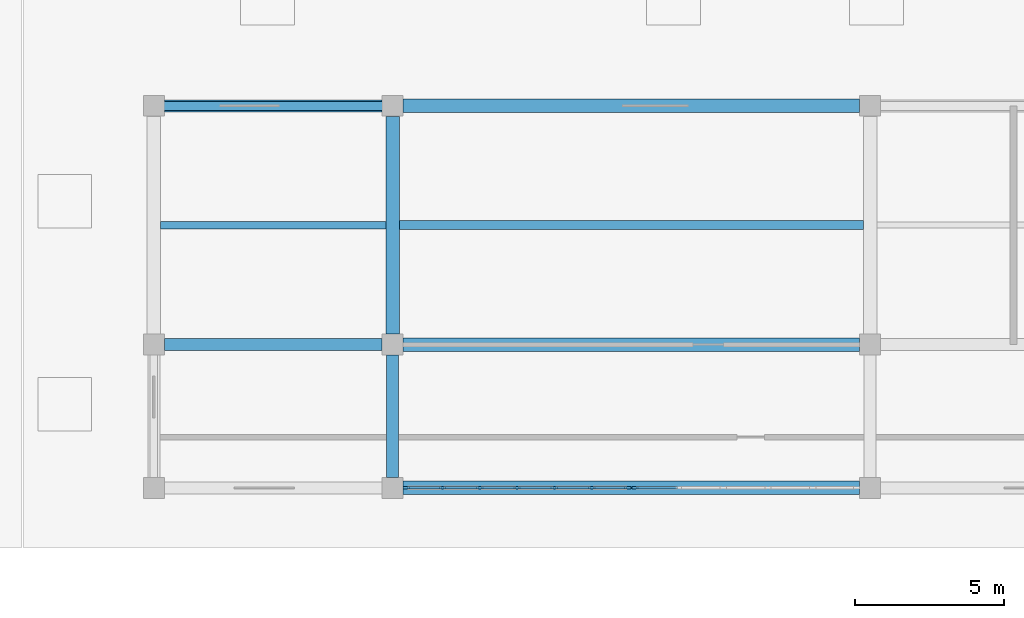
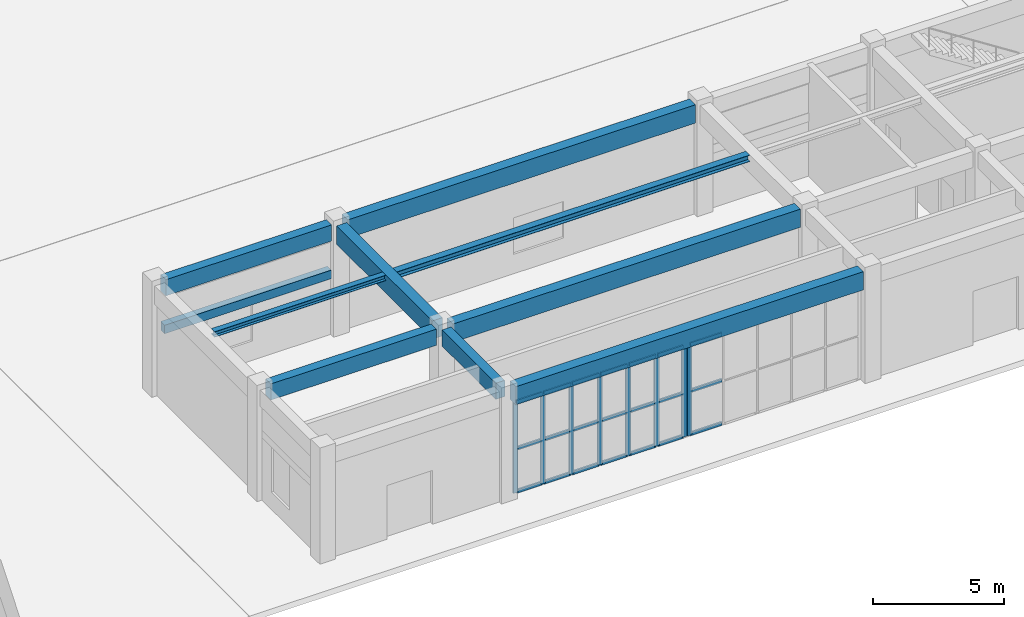
# One storey, part 10 of 46: 29 members, 10 beams, 2 elements without a shape of their own.
"""IFC4 building model written with IfcOpenShell, lengths in metres."""

from ifc_helpers import new_model, si_unit, direction, frame, origin, origin_2d, place, context, subcontext, project, spatial, rectangle, i_section, extrude, material, layer, layer_set, material_profile, profile_set, type_object, element, aggregate, save


model = new_model("IFC4")

# Units and contexts
model_context = context("Model", 3, precision=1e-05, world=origin(), true_north=direction((0.0, 1.0)))
body_context = subcontext(model_context, "Body", "Model", "MODEL_VIEW")
ifc_project = project(units=[si_unit("LENGTHUNIT", "METRE"), si_unit("AREAUNIT", "SQUARE_METRE"), si_unit("VOLUMEUNIT", "CUBIC_METRE"), si_unit("PLANEANGLEUNIT", "RADIAN"), si_unit("MASSUNIT", "GRAM", prefix="KILO")], contexts=[model_context])

# Site, building, storey
site_placement = place(None, origin())
site = spatial("IfcSite", under=ifc_project, at=site_placement, CompositionType="ELEMENT")
building_placement = place(site_placement, origin())
building = spatial("IfcBuilding", under=site, at=building_placement, Name="Cinchona Park Media Centre", CompositionType="ELEMENT")
storey_placement = place(building_placement, origin())
storey = spatial("IfcBuildingStorey", under=building, at=storey_placement, Name="L00", CompositionType="ELEMENT", Elevation=0.0)

# Beams
ifc_material_1 = material(Name="Concrete C35/45", Category="concrete")
ifc_material_profile_1 = material_profile(ifc_material_1, rectangle(XDim=0.39990234375, YDim=0.75, at=origin_2d()), Name="RB 400X750")
ifc_profile_set_1 = profile_set([ifc_material_profile_1], Name="Concrete C35/45")
beam_type_1 = type_object("IfcBeamType", Name="BEAM-B01-RB400X750", PredefinedType="BEAM", material=ifc_profile_set_1)
for number, where, z_axis, x_axis, name in (
    (1, (55.14990234375, 79.60009765625, 4.764892578125), (1.0, 0.0, 0.0), (0.0, 1.0, 0.0), "Beam B01 L00"),
    (2, (55.14990234375, 87.60009765625, 4.764892578125), (1.0, 0.0, 0.0), (0.0, 1.0, 0.0), "Beam B01 L00"),
):
    element("IfcBeam", number, at=place(storey_placement, frame(where, z_axis=z_axis, x_axis=x_axis)), inside=storey, type_object=beam_type_1, Name=name, PredefinedType="BEAM", context=body_context, shape_type="SweptSolid", body=[
        extrude(rectangle(XDim=0.39990234375, YDim=0.75, at=origin_2d()), origin(), (0.0, 0.0, 1.0), 7.300048828125),
    ])
beam_1_placement = place(storey_placement, frame((62.800048828125, 75.14990234375, 4.764892578125), z_axis=(0.0, 1.0, 0.0), x_axis=(-1.0, 0.0, 0.0)))
element("IfcBeam", 3, at=beam_1_placement, inside=storey, type_object=beam_type_1, Name="Girder B01 L00", PredefinedType="BEAM", context=body_context, shape_type="SweptSolid", body=[
    extrude(rectangle(XDim=0.39990234375, YDim=0.75, at=origin_2d()), origin(), (0.0, 0.0, 1.0), 4.10009765625),
])
ifc_material_2 = material(Name="Concrete C35/45", Category="concrete")
ifc_material_profile_2 = material_profile(ifc_material_2, rectangle(XDim=0.449951171875, YDim=0.85009765625, at=origin_2d()), Name="RB 450X850")
ifc_profile_set_2 = profile_set([ifc_material_profile_2], Name="Concrete C35/45")
beam_type_2 = type_object("IfcBeamType", Name="BEAM-B02-RB450X850", PredefinedType="BEAM", material=ifc_profile_set_2)
for number, where, z_axis, x_axis, name in (
    (4, (63.14990234375, 74.800048828125, 4.715087890625), (1.0, 0.0, 0.0), (0.0, 1.0, 0.0), "Beam B02 L00"),
    (5, (63.14990234375, 79.60009765625, 4.715087890625), (1.0, 0.0, 0.0), (0.0, 1.0, 0.0), "Beam B02 L00"),
    (6, (63.14990234375, 87.60009765625, 4.715087890625), (1.0, 0.0, 0.0), (0.0, 1.0, 0.0), "Beam B02 L00"),
):
    element("IfcBeam", number, at=place(storey_placement, frame(where, z_axis=z_axis, x_axis=x_axis)), inside=storey, type_object=beam_type_2, Name=name, PredefinedType="BEAM", context=body_context, shape_type="SweptSolid", body=[
        extrude(rectangle(XDim=0.449951171875, YDim=0.85009765625, at=origin_2d()), origin(), (0.0, 0.0, 1.0), 15.300048828125),
    ])
beam_2_placement = place(storey_placement, frame((62.800048828125, 79.949951171875, 4.715087890625), z_axis=(0.0, 1.0, 0.0), x_axis=(-1.0, 0.0, 0.0)))
element("IfcBeam", 7, at=beam_2_placement, inside=storey, type_object=beam_type_2, Name="Girder B02 L00", PredefinedType="BEAM", context=body_context, shape_type="SweptSolid", body=[
    extrude(rectangle(XDim=0.449951171875, YDim=0.85009765625, at=origin_2d()), origin(), (0.0, 0.0, 1.0), 7.300048828125),
])
ifc_material_3 = material(Name="Steel S355", Category="steel")
ifc_material_profile_3 = material_profile(ifc_material_3, i_section(OverallWidth=0.304931640625, OverallDepth=0.30810546875, WebThickness=0.010009765625, FlangeThickness=0.015380859375, at=origin_2d()), Name="W310X97")
ifc_profile_set_3 = profile_set([ifc_material_profile_3], Name="Steel S355")
beam_type_3 = type_object("IfcBeamType", Name="BEAM-J02-W310X97", PredefinedType="JOIST", material=ifc_profile_set_3)
beam_3_placement = place(storey_placement, frame((63.02490234375, 83.60009765625, 4.986083984375), z_axis=(1.0, 0.0, 0.0), x_axis=(0.0, 1.0, 0.0)))
element("IfcBeam", 8, at=beam_3_placement, inside=storey, type_object=beam_type_3, Name="Floor Joist J02 L00", PredefinedType="JOIST", context=body_context, shape_type="SweptSolid", body=[
    extrude(i_section(OverallWidth=0.304931640625, OverallDepth=0.30810546875, WebThickness=0.010009765625, FlangeThickness=0.015380859375, at=origin_2d()), origin(), (0.0, 0.0, 1.0), 15.550048828125),
])
ifc_material_4 = material(Name="Steel S355", Category="steel")
ifc_material_profile_4 = material_profile(ifc_material_4, i_section(OverallWidth=0.25390625, OverallDepth=0.2529296875, WebThickness=0.008544921875, FlangeThickness=0.01416015625, at=origin_2d()), Name="W250X73")
ifc_profile_set_4 = profile_set([ifc_material_profile_4], Name="Steel S355")
beam_type_4 = type_object("IfcBeamType", Name="BEAM-J04-W250X73", PredefinedType="JOIST", material=ifc_profile_set_4)
beam_4_placement = place(storey_placement, frame((55.02490234375, 83.60009765625, 5.013427734375), z_axis=(1.0, 0.0, 0.0), x_axis=(0.0, 1.0, 0.0)))
element("IfcBeam", 9, at=beam_4_placement, inside=storey, type_object=beam_type_4, Name="Floor Joist J04 L00", PredefinedType="JOIST", context=body_context, shape_type="SweptSolid", body=[
    extrude(i_section(OverallWidth=0.25390625, OverallDepth=0.2529296875, WebThickness=0.008544921875, FlangeThickness=0.01416015625, at=origin_2d()), origin(), (0.0, 0.0, 1.0), 7.550048828125),
])
ifc_material_5 = material(Name="Concrete C35/45", Category="concrete")
ifc_material_profile_5 = material_profile(ifc_material_5, rectangle(XDim=0.300048828125, YDim=0.39990234375, at=origin_2d()), Name="RL 300X400")
ifc_profile_set_5 = profile_set([ifc_material_profile_5], Name="Concrete C35/45")
beam_type_5 = type_object("IfcBeamType", Name="BEAM-LN02-RL300X400", PredefinedType="LINTEL", material=ifc_profile_set_5)
beam_5_placement = place(storey_placement, frame((55.1298828125, 87.60009765625, 2.800048828125), z_axis=(1.0, 0.0, 0.0), x_axis=(0.0, 1.0, 0.0)))
element("IfcBeam", 10, at=beam_5_placement, inside=storey, type_object=beam_type_5, Name="Window Lintel LN02", PredefinedType="LINTEL", context=body_context, shape_type="SweptSolid", body=[
    extrude(rectangle(XDim=0.300048828125, YDim=0.39990234375, at=origin_2d()), origin(), (0.0, 0.0, 1.0), 7.340087890625),
])

# Curtain wall, member
ifc_material_6 = material(Name="Aluminium Curtain Wall Framing", Category="aluminium")
ifc_layer_1 = layer(ifc_material_6, 0.300048828125)
ifc_layer_set_1 = layer_set([ifc_layer_1], Name="Aluminium Curtain Wall Framing")
curtain_wall_type_1 = type_object("IfcCurtainWallType", Name="CW-CW09", PredefinedType="USERDEFINED", material=ifc_layer_set_1)
curtain_wall_1_placement = place(storey_placement, origin())
curtain_wall_1 = element("IfcCurtainWall", 11, at=curtain_wall_1_placement, inside=storey, type_object=curtain_wall_type_1, Name="Curtain Wall CW09 L00", ObjectType="UNITISED CURTAIN WALL", PredefinedType="USERDEFINED")
ifc_material_7 = material(Name="Anodised Aluminium Alloy 6063-T6", Category="aluminium")
ifc_material_profile_6 = material_profile(ifc_material_7, rectangle(XDim=0.074951171875, YDim=0.2099609375, at=origin_2d()), Name="MUL-75X210")
ifc_profile_set_6 = profile_set([ifc_material_profile_6], Name="Anodised Aluminium Alloy 6063-T6")
member_type_1 = type_object("IfcMemberType", Name="MULLION-MUL03", PredefinedType="MULLION", material=ifc_profile_set_6)
member_1_placement = place(storey_placement, frame((70.91748046875, 74.800048828125, 0.050048828125), z_axis=(0.0, 0.0, 1.0), x_axis=(0.0, -1.0, 0.0)))
member_1 = element("IfcMember", 12, at=member_1_placement, type_object=member_type_1, Name="CW09 mullion 6", PredefinedType="MULLION", context=body_context, shape_type="SweptSolid", body=[
    extrude(rectangle(XDim=0.074951171875, YDim=0.2099609375, at=origin_2d()), origin(), (0.0, 0.0, 1.0), 4.239990234375),
])

# Curtain wall, members
ifc_material_8 = material(Name="Aluminium Curtain Wall Framing", Category="aluminium")
ifc_layer_2 = layer(ifc_material_8, 0.179931640625)
ifc_layer_set_2 = layer_set([ifc_layer_2], Name="Aluminium Curtain Wall Framing")
curtain_wall_type_2 = type_object("IfcCurtainWallType", Name="CW-CW01", PredefinedType="USERDEFINED", material=ifc_layer_set_2)
curtain_wall_2_placement = place(storey_placement, origin())
curtain_wall_2 = element("IfcCurtainWall", 13, at=curtain_wall_2_placement, inside=storey, type_object=curtain_wall_type_2, Name="Curtain Wall CW01 L00", ObjectType="UNITISED CURTAIN WALL", PredefinedType="USERDEFINED")
member_2_placement = place(storey_placement, frame((70.6826171875, 74.800048828125, 0.050048828125), z_axis=(0.0, 0.0, 1.0), x_axis=(0.0, -1.0, 0.0)))
member_2 = element("IfcMember", 14, at=member_2_placement, type_object=member_type_1, Name="CW01 mullion 1", PredefinedType="MULLION", context=body_context, shape_type="SweptSolid", body=[
    extrude(rectangle(XDim=0.074951171875, YDim=0.2099609375, at=origin_2d()), origin(), (0.0, 0.0, 1.0), 4.239990234375),
])
member_3_placement = place(storey_placement, frame((69.469970703125, 74.800048828125, 0.050048828125), z_axis=(0.0, 0.0, 1.0), x_axis=(0.0, -1.0, 0.0)))
member_3 = element("IfcMember", 15, at=member_3_placement, type_object=member_type_1, Name="CW01 mullion 2", PredefinedType="MULLION", context=body_context, shape_type="SweptSolid", body=[
    extrude(rectangle(XDim=0.074951171875, YDim=0.2099609375, at=origin_2d()), origin(), (0.0, 0.0, 1.0), 4.239990234375),
])
member_4_placement = place(storey_placement, frame((68.219970703125, 74.800048828125, 0.050048828125), z_axis=(0.0, 0.0, 1.0), x_axis=(0.0, -1.0, 0.0)))
member_4 = element("IfcMember", 16, at=member_4_placement, type_object=member_type_1, Name="CW01 mullion 3", PredefinedType="MULLION", context=body_context, shape_type="SweptSolid", body=[
    extrude(rectangle(XDim=0.074951171875, YDim=0.2099609375, at=origin_2d()), origin(), (0.0, 0.0, 1.0), 4.239990234375),
])
member_5_placement = place(storey_placement, frame((66.969970703125, 74.800048828125, 0.050048828125), z_axis=(0.0, 0.0, 1.0), x_axis=(0.0, -1.0, 0.0)))
member_5 = element("IfcMember", 17, at=member_5_placement, type_object=member_type_1, Name="CW01 mullion 4", PredefinedType="MULLION", context=body_context, shape_type="SweptSolid", body=[
    extrude(rectangle(XDim=0.074951171875, YDim=0.2099609375, at=origin_2d()), origin(), (0.0, 0.0, 1.0), 4.239990234375),
])
member_6_placement = place(storey_placement, frame((65.719970703125, 74.800048828125, 0.050048828125), z_axis=(0.0, 0.0, 1.0), x_axis=(0.0, -1.0, 0.0)))
member_6 = element("IfcMember", 18, at=member_6_placement, type_object=member_type_1, Name="CW01 mullion 5", PredefinedType="MULLION", context=body_context, shape_type="SweptSolid", body=[
    extrude(rectangle(XDim=0.074951171875, YDim=0.2099609375, at=origin_2d()), origin(), (0.0, 0.0, 1.0), 4.239990234375),
])
member_7_placement = place(storey_placement, frame((64.469970703125, 74.800048828125, 0.050048828125), z_axis=(0.0, 0.0, 1.0), x_axis=(0.0, -1.0, 0.0)))
member_7 = element("IfcMember", 19, at=member_7_placement, type_object=member_type_1, Name="CW01 mullion 6", PredefinedType="MULLION", context=body_context, shape_type="SweptSolid", body=[
    extrude(rectangle(XDim=0.074951171875, YDim=0.2099609375, at=origin_2d()), origin(), (0.0, 0.0, 1.0), 4.239990234375),
])
member_8_placement = place(storey_placement, frame((63.257568359375, 74.800048828125, 0.050048828125), z_axis=(0.0, 0.0, 1.0), x_axis=(0.0, -1.0, 0.0)))
member_8 = element("IfcMember", 20, at=member_8_placement, type_object=member_type_1, Name="CW01 mullion 7", PredefinedType="MULLION", context=body_context, shape_type="SweptSolid", body=[
    extrude(rectangle(XDim=0.074951171875, YDim=0.2099609375, at=origin_2d()), origin(), (0.0, 0.0, 1.0), 4.239990234375),
])

# Member
ifc_material_9 = material(Name="Anodised Aluminium Alloy 6063-T6", Category="aluminium")
ifc_material_profile_7 = material_profile(ifc_material_9, rectangle(XDim=0.074951171875, YDim=0.159912109375, at=origin_2d()), Name="TRN-75X160")
ifc_profile_set_7 = profile_set([ifc_material_profile_7], Name="Anodised Aluminium Alloy 6063-T6")
member_type_2 = type_object("IfcMemberType", Name="TRANSOM-TRN03", PredefinedType="USERDEFINED", material=ifc_profile_set_7)
member_9_placement = place(storey_placement, frame((72.342529296875, 74.800048828125, 0.08740234375), z_axis=(-1.0, 0.0, 0.0), x_axis=(0.0, -1.0, 0.0)))
member_9 = element("IfcMember", 21, at=member_9_placement, type_object=member_type_2, Name="CW09 transom 5.1", ObjectType="TRANSOM", PredefinedType="USERDEFINED", context=body_context, shape_type="SweptSolid", body=[
    extrude(rectangle(XDim=0.074951171875, YDim=0.159912109375, at=origin_2d()), origin(), (0.0, 0.0, 1.0), 1.387451171875),
])

member_10_placement = place(storey_placement, frame((72.342529296875, 74.800048828125, 2.0849609375), z_axis=(-1.0, 0.0, 0.0), x_axis=(0.0, -1.0, 0.0)))
member_10 = element("IfcMember", 22, at=member_10_placement, type_object=member_type_2, Name="CW09 transom 5.2", ObjectType="TRANSOM", PredefinedType="USERDEFINED", context=body_context, shape_type="SweptSolid", body=[
    extrude(rectangle(XDim=0.074951171875, YDim=0.159912109375, at=origin_2d()), origin(), (0.0, 0.0, 1.0), 1.387451171875),
])

member_11_placement = place(storey_placement, frame((72.342529296875, 74.800048828125, 4.25244140625), z_axis=(-1.0, 0.0, 0.0), x_axis=(0.0, -1.0, 0.0)))
member_11 = element("IfcMember", 23, at=member_11_placement, type_object=member_type_2, Name="CW09 transom 5.3", ObjectType="TRANSOM", PredefinedType="USERDEFINED", context=body_context, shape_type="SweptSolid", body=[
    extrude(rectangle(XDim=0.074951171875, YDim=0.159912109375, at=origin_2d()), origin(), (0.0, 0.0, 1.0), 1.387451171875),
])

aggregate(curtain_wall_1, [member_1, member_9, member_10, member_11])

member_12_placement = place(storey_placement, frame((70.64501953125, 74.800048828125, 0.08740234375), z_axis=(-1.0, 0.0, 0.0), x_axis=(0.0, -1.0, 0.0)))
member_12 = element("IfcMember", 24, at=member_12_placement, type_object=member_type_2, Name="CW01 transom 1.1", ObjectType="TRANSOM", PredefinedType="USERDEFINED", context=body_context, shape_type="SweptSolid", body=[
    extrude(rectangle(XDim=0.074951171875, YDim=0.159912109375, at=origin_2d()), origin(), (0.0, 0.0, 1.0), 1.137451171875),
])

member_13_placement = place(storey_placement, frame((70.64501953125, 74.800048828125, 2.0849609375), z_axis=(-1.0, 0.0, 0.0), x_axis=(0.0, -1.0, 0.0)))
member_13 = element("IfcMember", 25, at=member_13_placement, type_object=member_type_2, Name="CW01 transom 1.2", ObjectType="TRANSOM", PredefinedType="USERDEFINED", context=body_context, shape_type="SweptSolid", body=[
    extrude(rectangle(XDim=0.074951171875, YDim=0.159912109375, at=origin_2d()), origin(), (0.0, 0.0, 1.0), 1.137451171875),
])

member_14_placement = place(storey_placement, frame((70.64501953125, 74.800048828125, 4.25244140625), z_axis=(-1.0, 0.0, 0.0), x_axis=(0.0, -1.0, 0.0)))
member_14 = element("IfcMember", 26, at=member_14_placement, type_object=member_type_2, Name="CW01 transom 1.3", ObjectType="TRANSOM", PredefinedType="USERDEFINED", context=body_context, shape_type="SweptSolid", body=[
    extrude(rectangle(XDim=0.074951171875, YDim=0.159912109375, at=origin_2d()), origin(), (0.0, 0.0, 1.0), 1.137451171875),
])

member_15_placement = place(storey_placement, frame((69.4326171875, 74.800048828125, 0.08740234375), z_axis=(-1.0, 0.0, 0.0), x_axis=(0.0, -1.0, 0.0)))
member_15 = element("IfcMember", 27, at=member_15_placement, type_object=member_type_2, Name="CW01 transom 2.1", ObjectType="TRANSOM", PredefinedType="USERDEFINED", context=body_context, shape_type="SweptSolid", body=[
    extrude(rectangle(XDim=0.074951171875, YDim=0.159912109375, at=origin_2d()), origin(), (0.0, 0.0, 1.0), 1.175048828125),
])

member_16_placement = place(storey_placement, frame((69.4326171875, 74.800048828125, 2.0849609375), z_axis=(-1.0, 0.0, 0.0), x_axis=(0.0, -1.0, 0.0)))
member_16 = element("IfcMember", 28, at=member_16_placement, type_object=member_type_2, Name="CW01 transom 2.2", ObjectType="TRANSOM", PredefinedType="USERDEFINED", context=body_context, shape_type="SweptSolid", body=[
    extrude(rectangle(XDim=0.074951171875, YDim=0.159912109375, at=origin_2d()), origin(), (0.0, 0.0, 1.0), 1.175048828125),
])

member_17_placement = place(storey_placement, frame((69.4326171875, 74.800048828125, 4.25244140625), z_axis=(-1.0, 0.0, 0.0), x_axis=(0.0, -1.0, 0.0)))
member_17 = element("IfcMember", 29, at=member_17_placement, type_object=member_type_2, Name="CW01 transom 2.3", ObjectType="TRANSOM", PredefinedType="USERDEFINED", context=body_context, shape_type="SweptSolid", body=[
    extrude(rectangle(XDim=0.074951171875, YDim=0.159912109375, at=origin_2d()), origin(), (0.0, 0.0, 1.0), 1.175048828125),
])

member_18_placement = place(storey_placement, frame((68.1826171875, 74.800048828125, 0.08740234375), z_axis=(-1.0, 0.0, 0.0), x_axis=(0.0, -1.0, 0.0)))
member_18 = element("IfcMember", 30, at=member_18_placement, type_object=member_type_2, Name="CW01 transom 3.1", ObjectType="TRANSOM", PredefinedType="USERDEFINED", context=body_context, shape_type="SweptSolid", body=[
    extrude(rectangle(XDim=0.074951171875, YDim=0.159912109375, at=origin_2d()), origin(), (0.0, 0.0, 1.0), 1.175048828125),
])

member_19_placement = place(storey_placement, frame((68.1826171875, 74.800048828125, 2.0849609375), z_axis=(-1.0, 0.0, 0.0), x_axis=(0.0, -1.0, 0.0)))
member_19 = element("IfcMember", 31, at=member_19_placement, type_object=member_type_2, Name="CW01 transom 3.2", ObjectType="TRANSOM", PredefinedType="USERDEFINED", context=body_context, shape_type="SweptSolid", body=[
    extrude(rectangle(XDim=0.074951171875, YDim=0.159912109375, at=origin_2d()), origin(), (0.0, 0.0, 1.0), 1.175048828125),
])

member_20_placement = place(storey_placement, frame((68.1826171875, 74.800048828125, 4.25244140625), z_axis=(-1.0, 0.0, 0.0), x_axis=(0.0, -1.0, 0.0)))
member_20 = element("IfcMember", 32, at=member_20_placement, type_object=member_type_2, Name="CW01 transom 3.3", ObjectType="TRANSOM", PredefinedType="USERDEFINED", context=body_context, shape_type="SweptSolid", body=[
    extrude(rectangle(XDim=0.074951171875, YDim=0.159912109375, at=origin_2d()), origin(), (0.0, 0.0, 1.0), 1.175048828125),
])

member_21_placement = place(storey_placement, frame((66.9326171875, 74.800048828125, 0.08740234375), z_axis=(-1.0, 0.0, 0.0), x_axis=(0.0, -1.0, 0.0)))
member_21 = element("IfcMember", 33, at=member_21_placement, type_object=member_type_2, Name="CW01 transom 4.1", ObjectType="TRANSOM", PredefinedType="USERDEFINED", context=body_context, shape_type="SweptSolid", body=[
    extrude(rectangle(XDim=0.074951171875, YDim=0.159912109375, at=origin_2d()), origin(), (0.0, 0.0, 1.0), 1.175048828125),
])

member_22_placement = place(storey_placement, frame((66.9326171875, 74.800048828125, 2.0849609375), z_axis=(-1.0, 0.0, 0.0), x_axis=(0.0, -1.0, 0.0)))
member_22 = element("IfcMember", 34, at=member_22_placement, type_object=member_type_2, Name="CW01 transom 4.2", ObjectType="TRANSOM", PredefinedType="USERDEFINED", context=body_context, shape_type="SweptSolid", body=[
    extrude(rectangle(XDim=0.074951171875, YDim=0.159912109375, at=origin_2d()), origin(), (0.0, 0.0, 1.0), 1.175048828125),
])

member_23_placement = place(storey_placement, frame((66.9326171875, 74.800048828125, 4.25244140625), z_axis=(-1.0, 0.0, 0.0), x_axis=(0.0, -1.0, 0.0)))
member_23 = element("IfcMember", 35, at=member_23_placement, type_object=member_type_2, Name="CW01 transom 4.3", ObjectType="TRANSOM", PredefinedType="USERDEFINED", context=body_context, shape_type="SweptSolid", body=[
    extrude(rectangle(XDim=0.074951171875, YDim=0.159912109375, at=origin_2d()), origin(), (0.0, 0.0, 1.0), 1.175048828125),
])

member_24_placement = place(storey_placement, frame((65.6826171875, 74.800048828125, 0.08740234375), z_axis=(-1.0, 0.0, 0.0), x_axis=(0.0, -1.0, 0.0)))
member_24 = element("IfcMember", 36, at=member_24_placement, type_object=member_type_2, Name="CW01 transom 5.1", ObjectType="TRANSOM", PredefinedType="USERDEFINED", context=body_context, shape_type="SweptSolid", body=[
    extrude(rectangle(XDim=0.074951171875, YDim=0.159912109375, at=origin_2d()), origin(), (0.0, 0.0, 1.0), 1.175048828125),
])

member_25_placement = place(storey_placement, frame((65.6826171875, 74.800048828125, 2.0849609375), z_axis=(-1.0, 0.0, 0.0), x_axis=(0.0, -1.0, 0.0)))
member_25 = element("IfcMember", 37, at=member_25_placement, type_object=member_type_2, Name="CW01 transom 5.2", ObjectType="TRANSOM", PredefinedType="USERDEFINED", context=body_context, shape_type="SweptSolid", body=[
    extrude(rectangle(XDim=0.074951171875, YDim=0.159912109375, at=origin_2d()), origin(), (0.0, 0.0, 1.0), 1.175048828125),
])

member_26_placement = place(storey_placement, frame((65.6826171875, 74.800048828125, 4.25244140625), z_axis=(-1.0, 0.0, 0.0), x_axis=(0.0, -1.0, 0.0)))
member_26 = element("IfcMember", 38, at=member_26_placement, type_object=member_type_2, Name="CW01 transom 5.3", ObjectType="TRANSOM", PredefinedType="USERDEFINED", context=body_context, shape_type="SweptSolid", body=[
    extrude(rectangle(XDim=0.074951171875, YDim=0.159912109375, at=origin_2d()), origin(), (0.0, 0.0, 1.0), 1.175048828125),
])

member_27_placement = place(storey_placement, frame((64.4326171875, 74.800048828125, 0.08740234375), z_axis=(-1.0, 0.0, 0.0), x_axis=(0.0, -1.0, 0.0)))
member_27 = element("IfcMember", 39, at=member_27_placement, type_object=member_type_2, Name="CW01 transom 6.1", ObjectType="TRANSOM", PredefinedType="USERDEFINED", context=body_context, shape_type="SweptSolid", body=[
    extrude(rectangle(XDim=0.074951171875, YDim=0.159912109375, at=origin_2d()), origin(), (0.0, 0.0, 1.0), 1.1376953125),
])

member_28_placement = place(storey_placement, frame((64.4326171875, 74.800048828125, 2.0849609375), z_axis=(-1.0, 0.0, 0.0), x_axis=(0.0, -1.0, 0.0)))
member_28 = element("IfcMember", 40, at=member_28_placement, type_object=member_type_2, Name="CW01 transom 6.2", ObjectType="TRANSOM", PredefinedType="USERDEFINED", context=body_context, shape_type="SweptSolid", body=[
    extrude(rectangle(XDim=0.074951171875, YDim=0.159912109375, at=origin_2d()), origin(), (0.0, 0.0, 1.0), 1.1376953125),
])

member_29_placement = place(storey_placement, frame((64.4326171875, 74.800048828125, 4.25244140625), z_axis=(-1.0, 0.0, 0.0), x_axis=(0.0, -1.0, 0.0)))
member_29 = element("IfcMember", 41, at=member_29_placement, type_object=member_type_2, Name="CW01 transom 6.3", ObjectType="TRANSOM", PredefinedType="USERDEFINED", context=body_context, shape_type="SweptSolid", body=[
    extrude(rectangle(XDim=0.074951171875, YDim=0.159912109375, at=origin_2d()), origin(), (0.0, 0.0, 1.0), 1.1376953125),
])

aggregate(curtain_wall_2, [member_2, member_3, member_4, member_5, member_6, member_7, member_8, member_12, member_13, member_14, member_15, member_16, member_17, member_18, member_19, member_20, member_21, member_22, member_23, member_24, member_25, member_26, member_27, member_28, member_29])

save(model, "model.ifc")
